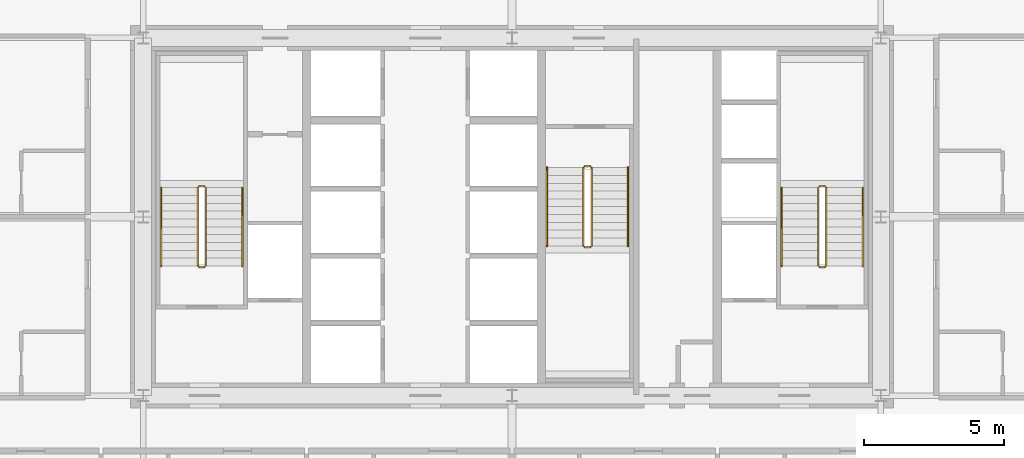
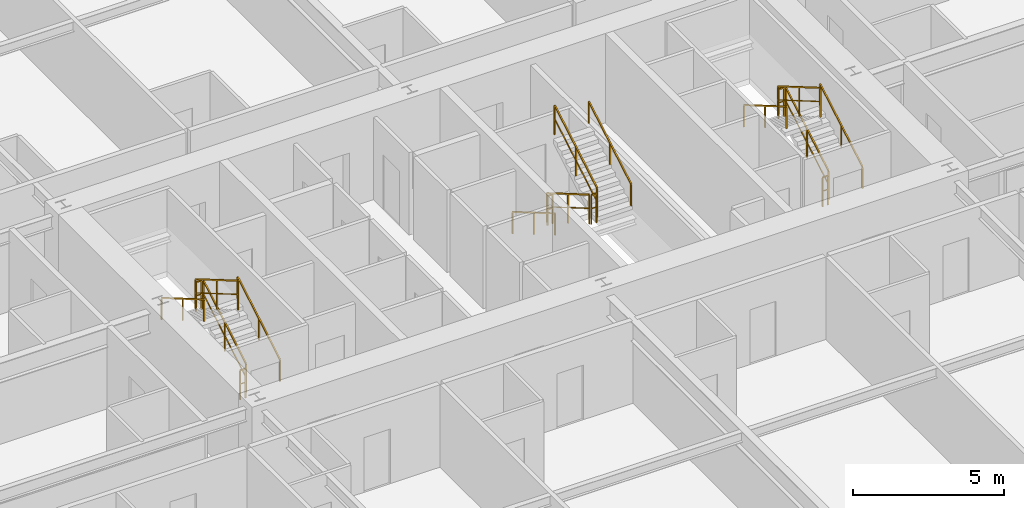
# One storey, part 43 of 43: 18 railings.
"""IFC4 building model written with IfcOpenShell, lengths in metres."""

from ifc_helpers import new_model, si_unit, direction, frame, origin, origin_2d, place, context, subcontext, project, spatial, rectangle, extrude, source, transform, mapped, material, layer, layer_set, type_object, element, save


model = new_model("IFC4")

# Units and contexts
model_context = context("Model", 3, precision=1e-05, world=origin(), true_north=direction((0.0, 1.0)))
body_context = subcontext(model_context, "Body", "Model", "MODEL_VIEW")
ifc_project = project(units=[si_unit("LENGTHUNIT", "METRE"), si_unit("AREAUNIT", "SQUARE_METRE"), si_unit("VOLUMEUNIT", "CUBIC_METRE"), si_unit("PLANEANGLEUNIT", "RADIAN"), si_unit("MASSUNIT", "GRAM", prefix="KILO"), si_unit("THERMODYNAMICTEMPERATUREUNIT", "KELVIN"), si_unit("POWERUNIT", "WATT")], contexts=[model_context])

# Site, building, storey
site_placement = place(None, origin())
site = spatial("IfcSite", under=ifc_project, at=site_placement, CompositionType="ELEMENT")
building_placement = place(site_placement, origin())
building = spatial("IfcBuilding", under=site, at=building_placement, Name="Yuzanri Waterfront Tower", CompositionType="ELEMENT")
storey_placement = place(building_placement, frame((0.0, 0.0, 37.800048828125)))
storey = spatial("IfcBuildingStorey", under=building, at=storey_placement, Name="L09", CompositionType="ELEMENT", Elevation=37.800048828125)

# Railings
ifc_material_1 = material(Name="Painted Galvanized Fire Steel", Category="steel")
ifc_layer_1 = layer(ifc_material_1, 0.06005859375)
ifc_layer_set_1 = layer_set([ifc_layer_1], Name="Painted Galvanized Fire Steel")
railing_type_1 = type_object("IfcRailingType", Name="Painted Steel Stairwell Guardrail 1120", PredefinedType="GUARDRAIL", material=ifc_layer_set_1)
shared_shape_1 = source(origin(), body_context, "Body", "SweptSolid", [
    extrude(rectangle(XDim=0.050048828125, YDim=0.050048828125, at=origin_2d()), frame((0.0, 0.0, 1.1748046875), z_axis=(-1.0, 0.0, 0.0), x_axis=(0.0, -1.0, 0.0)), (0.0, 0.0, 1.0), 0.199951171875),
    extrude(rectangle(XDim=0.035888671875, YDim=0.030029296875, at=origin_2d()), frame((0.0, 0.0, 0.6240234375), z_axis=(-1.0, 0.0, 0.0), x_axis=(0.0, -1.0, 0.0)), (0.0, 0.0, 1.0), 0.199951171875),
    extrude(rectangle(XDim=0.0458984375, YDim=0.0458984375, at=origin_2d()), origin(), (0.0, 0.0, 1.0), 1.14990234375),
    extrude(rectangle(XDim=0.0458984375, YDim=0.0458984375, at=origin_2d()), frame((-0.199951171875, 0.0, 0.0)), (0.0, 0.0, 1.0), 1.14990234375),
])
for number, where, name in (
    (1, (26.0, 26.889892578125, 1.800048828125), "L09 ST-01 stair guard 2"),
    (2, (26.0, 23.989990234375, 0.0), "L09 ST-01 stair guard 4"),
    (3, (48.199951171875, 26.889892578125, 1.800048828125), "L09 ST-02 stair guard 2"),
    (4, (48.199951171875, 23.989990234375, 0.0), "L09 ST-02 stair guard 4"),
):
    element("IfcRailing", number, at=place(storey_placement, frame(where)), inside=storey, type_object=railing_type_1, Name=name, PredefinedType="GUARDRAIL", context=body_context, shape_type="MappedRepresentation", body=[
        mapped(shared_shape_1, transform((0.0, 0.0, 0.0), scale=1.0)),
    ])
shared_shape_2 = source(origin(), body_context, "Body", "SweptSolid", [
    extrude(rectangle(XDim=0.050048828125, YDim=0.050048828125, at=origin_2d()), frame((0.0, 0.0, 1.1748046875), z_axis=(0.0, 0.863393664356, 0.504530851732), x_axis=(-1.0, 0.0, 0.0)), (0.0, 0.0, 1.0), 3.2431640625),
    extrude(rectangle(XDim=0.035888671875, YDim=0.030029296875, at=origin_2d()), frame((0.0, 0.0, 0.6240234375), z_axis=(0.0, 0.863393664356, 0.504530851732), x_axis=(-1.0, 0.0, 0.0)), (0.0, 0.0, 1.0), 3.2431640625),
    extrude(rectangle(XDim=0.0458984375, YDim=0.0458984375, at=origin_2d()), origin(), (0.0, 0.0, 1.0), 1.14990234375),
    extrude(rectangle(XDim=0.0458984375, YDim=0.0458984375, at=origin_2d()), frame((0.0, 1.39990234375, 0.818115234375)), (0.0, 0.0, 1.0), 1.14990234375),
    extrude(rectangle(XDim=0.0458984375, YDim=0.0458984375, at=origin_2d()), frame((0.0, 2.800048828125, 1.63623046875)), (0.0, 0.0, 1.0), 1.14990234375),
])
railing_1_placement = place(storey_placement, frame((39.85009765625, 24.760009765625, 1.963623046875)))
element("IfcRailing", 5, at=railing_1_placement, inside=storey, type_object=railing_type_1, Name="L09 ST-03 stair guard 3", PredefinedType="GUARDRAIL", context=body_context, shape_type="MappedRepresentation", body=[
    mapped(shared_shape_2, transform((0.0, 0.0, 0.0), scale=1.0)),
])
shared_shape_3 = source(origin(), body_context, "Body", "SweptSolid", [
    extrude(rectangle(XDim=0.050048828125, YDim=0.050048828125, at=origin_2d()), frame((0.0, 0.0, 1.1748046875), z_axis=(0.0, -0.863393664356, 0.504530851732), x_axis=(1.0, 0.0, 0.0)), (0.0, 0.0, 1.0), 3.2431640625),
    extrude(rectangle(XDim=0.035888671875, YDim=0.030029296875, at=origin_2d()), frame((0.0, 0.0, 0.6240234375), z_axis=(0.0, -0.863393664356, 0.504530851732), x_axis=(1.0, 0.0, 0.0)), (0.0, 0.0, 1.0), 3.2431640625),
    extrude(rectangle(XDim=0.0458984375, YDim=0.0458984375, at=origin_2d()), origin(), (0.0, 0.0, 1.0), 1.14990234375),
    extrude(rectangle(XDim=0.0458984375, YDim=0.0458984375, at=origin_2d()), frame((0.0, -1.39990234375, 0.818115234375)), (0.0, 0.0, 1.0), 1.14990234375),
    extrude(rectangle(XDim=0.0458984375, YDim=0.0458984375, at=origin_2d()), frame((0.0, -2.800048828125, 1.63623046875)), (0.0, 0.0, 1.0), 1.14990234375),
])
for number, where, name in (
    (6, (25.75, 26.840087890625, 1.963623046875), "L09 ST-01 stair guard 3"),
    (7, (47.949951171875, 26.840087890625, 1.963623046875), "L09 ST-02 stair guard 3"),
):
    element("IfcRailing", number, at=place(storey_placement, frame(where)), inside=storey, type_object=railing_type_1, Name=name, PredefinedType="GUARDRAIL", context=body_context, shape_type="MappedRepresentation", body=[
        mapped(shared_shape_3, transform((0.0, 0.0, 0.0), scale=1.0)),
    ])
ifc_material_2 = material(Name="Anodized Architectural Bronze", Category="metal")
ifc_layer_2 = layer(ifc_material_2, 0.050048828125)
ifc_layer_set_2 = layer_set([ifc_layer_2], Name="Anodized Architectural Bronze")
railing_type_2 = type_object("IfcRailingType", Name="Brushed Bronze Stair Pitch Handrail 920", PredefinedType="HANDRAIL", material=ifc_layer_set_2)
shared_shape_4 = source(origin(), body_context, "Body", "SweptSolid", [
    extrude(rectangle(XDim=0.050048828125, YDim=0.050048828125, at=origin_2d()), frame((0.0, 0.0, 0.875), z_axis=(0.0, 0.863393664356, 0.504530851732), x_axis=(-1.0, 0.0, 0.0)), (0.0, 0.0, 1.0), 3.2431640625),
    extrude(rectangle(XDim=0.0458984375, YDim=0.0458984375, at=origin_2d()), origin(), (0.0, 0.0, 1.0), 0.849853515625),
    extrude(rectangle(XDim=0.0458984375, YDim=0.0458984375, at=origin_2d()), frame((0.0, 1.39990234375, 0.818115234375)), (0.0, 0.0, 1.0), 0.849853515625),
    extrude(rectangle(XDim=0.0458984375, YDim=0.0458984375, at=origin_2d()), frame((0.0, 2.800048828125, 1.63623046875)), (0.0, 0.0, 1.0), 0.849853515625),
])
railing_2_placement = place(storey_placement, frame((41.14990234375, 24.760009765625, 1.963623046875)))
element("IfcRailing", 8, at=railing_2_placement, inside=storey, type_object=railing_type_2, Name="L09 ST-03 stair handrail 2", PredefinedType="HANDRAIL", context=body_context, shape_type="MappedRepresentation", body=[
    mapped(shared_shape_4, transform((0.0, 0.0, 0.0), scale=1.0)),
])
shared_shape_5 = source(origin(), body_context, "Body", "SweptSolid", [
    extrude(rectangle(XDim=0.050048828125, YDim=0.050048828125, at=origin_2d()), frame((0.0, 0.0, 0.875), z_axis=(0.0, -0.863393664356, 0.504530851732), x_axis=(1.0, 0.0, 0.0)), (0.0, 0.0, 1.0), 3.2431640625),
    extrude(rectangle(XDim=0.0458984375, YDim=0.0458984375, at=origin_2d()), origin(), (0.0, 0.0, 1.0), 0.849853515625),
    extrude(rectangle(XDim=0.0458984375, YDim=0.0458984375, at=origin_2d()), frame((0.0, -1.39990234375, 0.818115234375)), (0.0, 0.0, 1.0), 0.849853515625),
    extrude(rectangle(XDim=0.0458984375, YDim=0.0458984375, at=origin_2d()), frame((0.0, -2.800048828125, 1.63623046875)), (0.0, 0.0, 1.0), 0.849853515625),
])
for number, where, name in (
    (9, (24.449951171875, 26.840087890625, 1.963623046875), "L09 ST-01 stair handrail 2"),
    (10, (46.64990234375, 26.840087890625, 1.963623046875), "L09 ST-02 stair handrail 2"),
):
    element("IfcRailing", number, at=place(storey_placement, frame(where)), inside=storey, type_object=railing_type_2, Name=name, PredefinedType="HANDRAIL", context=body_context, shape_type="MappedRepresentation", body=[
        mapped(shared_shape_5, transform((0.0, 0.0, 0.0), scale=1.0)),
    ])
shared_shape_6 = source(origin(), body_context, "Body", "SweptSolid", [
    extrude(rectangle(XDim=0.050048828125, YDim=0.050048828125, at=origin_2d()), frame((0.0, 0.0, 1.1748046875), z_axis=(0.0, 0.863360870873, 0.504586966384), x_axis=(-1.0, 0.0, 0.0)), (0.0, 0.0, 1.0), 3.2431640625),
    extrude(rectangle(XDim=0.035888671875, YDim=0.030029296875, at=origin_2d()), frame((0.0, 0.0, 0.6240234375), z_axis=(0.0, 0.863360870873, 0.504586966384), x_axis=(-1.0, 0.0, 0.0)), (0.0, 0.0, 1.0), 3.2431640625),
    extrude(rectangle(XDim=0.0458984375, YDim=0.0458984375, at=origin_2d()), origin(), (0.0, 0.0, 1.0), 1.14990234375),
    extrude(rectangle(XDim=0.0458984375, YDim=0.0458984375, at=origin_2d()), frame((0.0, 1.39990234375, 0.818359375)), (0.0, 0.0, 1.0), 1.14990234375),
    extrude(rectangle(XDim=0.0458984375, YDim=0.0458984375, at=origin_2d()), frame((0.0, 2.800048828125, 1.636474609375)), (0.0, 0.0, 1.0), 1.14990234375),
])
for number, where, name in (
    (11, (26.050048828125, 24.0400390625, 0.16357421875), "L09 ST-01 stair guard 1"),
    (12, (48.25, 24.0400390625, 0.16357421875), "L09 ST-02 stair guard 1"),
):
    element("IfcRailing", number, at=place(storey_placement, frame(where)), inside=storey, type_object=railing_type_1, Name=name, PredefinedType="GUARDRAIL", context=body_context, shape_type="MappedRepresentation", body=[
        mapped(shared_shape_6, transform((0.0, 0.0, 0.0), scale=1.0)),
    ])
shared_shape_7 = source(origin(), body_context, "Body", "SweptSolid", [
    extrude(rectangle(XDim=0.050048828125, YDim=0.050048828125, at=origin_2d()), frame((0.0, 0.0, 1.1748046875), z_axis=(0.0, -0.863360870873, 0.504586966384), x_axis=(1.0, 0.0, 0.0)), (0.0, 0.0, 1.0), 3.2431640625),
    extrude(rectangle(XDim=0.035888671875, YDim=0.030029296875, at=origin_2d()), frame((0.0, 0.0, 0.6240234375), z_axis=(0.0, -0.863360870873, 0.504586966384), x_axis=(1.0, 0.0, 0.0)), (0.0, 0.0, 1.0), 3.2431640625),
    extrude(rectangle(XDim=0.0458984375, YDim=0.0458984375, at=origin_2d()), origin(), (0.0, 0.0, 1.0), 1.14990234375),
    extrude(rectangle(XDim=0.0458984375, YDim=0.0458984375, at=origin_2d()), frame((0.0, -1.39990234375, 0.818359375)), (0.0, 0.0, 1.0), 1.14990234375),
    extrude(rectangle(XDim=0.0458984375, YDim=0.0458984375, at=origin_2d()), frame((0.0, -2.800048828125, 1.636474609375)), (0.0, 0.0, 1.0), 1.14990234375),
])
railing_3_placement = place(storey_placement, frame((39.550048828125, 27.56005859375, 0.16357421875)))
element("IfcRailing", 13, at=railing_3_placement, inside=storey, type_object=railing_type_1, Name="L09 ST-03 stair guard 1", PredefinedType="GUARDRAIL", context=body_context, shape_type="MappedRepresentation", body=[
    mapped(shared_shape_7, transform((0.0, 0.0, 0.0), scale=1.0)),
])
shared_shape_8 = source(origin(), body_context, "Body", "SweptSolid", [
    extrude(rectangle(XDim=0.050048828125, YDim=0.050048828125, at=origin_2d()), frame((0.0, 0.0, 0.875), z_axis=(0.0, 0.863360870873, 0.504586966384), x_axis=(-1.0, 0.0, 0.0)), (0.0, 0.0, 1.0), 3.2431640625),
    extrude(rectangle(XDim=0.0458984375, YDim=0.0458984375, at=origin_2d()), origin(), (0.0, 0.0, 1.0), 0.849853515625),
    extrude(rectangle(XDim=0.0458984375, YDim=0.0458984375, at=origin_2d()), frame((0.0, 1.39990234375, 0.818359375)), (0.0, 0.0, 1.0), 0.849853515625),
    extrude(rectangle(XDim=0.0458984375, YDim=0.0458984375, at=origin_2d()), frame((0.0, 2.800048828125, 1.636474609375)), (0.0, 0.0, 1.0), 0.849853515625),
])
for number, where, name in (
    (14, (27.35009765625, 24.0400390625, 0.16357421875), "L09 ST-01 stair handrail 1"),
    (15, (49.550048828125, 24.0400390625, 0.16357421875), "L09 ST-02 stair handrail 1"),
):
    element("IfcRailing", number, at=place(storey_placement, frame(where)), inside=storey, type_object=railing_type_2, Name=name, PredefinedType="HANDRAIL", context=body_context, shape_type="MappedRepresentation", body=[
        mapped(shared_shape_8, transform((0.0, 0.0, 0.0), scale=1.0)),
    ])
shared_shape_9 = source(origin(), body_context, "Body", "SweptSolid", [
    extrude(rectangle(XDim=0.050048828125, YDim=0.050048828125, at=origin_2d()), frame((0.0, 0.0, 0.875), z_axis=(0.0, -0.863360870873, 0.504586966384), x_axis=(1.0, 0.0, 0.0)), (0.0, 0.0, 1.0), 3.2431640625),
    extrude(rectangle(XDim=0.0458984375, YDim=0.0458984375, at=origin_2d()), origin(), (0.0, 0.0, 1.0), 0.849853515625),
    extrude(rectangle(XDim=0.0458984375, YDim=0.0458984375, at=origin_2d()), frame((0.0, -1.39990234375, 0.818359375)), (0.0, 0.0, 1.0), 0.849853515625),
    extrude(rectangle(XDim=0.0458984375, YDim=0.0458984375, at=origin_2d()), frame((0.0, -2.800048828125, 1.636474609375)), (0.0, 0.0, 1.0), 0.849853515625),
])
railing_4_placement = place(storey_placement, frame((38.25, 27.56005859375, 0.16357421875)))
element("IfcRailing", 16, at=railing_4_placement, inside=storey, type_object=railing_type_2, Name="L09 ST-03 stair handrail 1", PredefinedType="HANDRAIL", context=body_context, shape_type="MappedRepresentation", body=[
    mapped(shared_shape_9, transform((0.0, 0.0, 0.0), scale=1.0)),
])
shared_shape_10 = source(origin(), body_context, "Body", "SweptSolid", [
    extrude(rectangle(XDim=0.050048828125, YDim=0.050048828125, at=origin_2d()), frame((0.0, 0.0, 1.1748046875), z_axis=(1.0, 0.0, 0.0), x_axis=(0.0, 1.0, 0.0)), (0.0, 0.0, 1.0), 0.199951171875),
    extrude(rectangle(XDim=0.035888671875, YDim=0.030029296875, at=origin_2d()), frame((0.0, 0.0, 0.6240234375), z_axis=(1.0, 0.0, 0.0), x_axis=(0.0, 1.0, 0.0)), (0.0, 0.0, 1.0), 0.199951171875),
    extrude(rectangle(XDim=0.0458984375, YDim=0.0458984375, at=origin_2d()), origin(), (0.0, 0.0, 1.0), 1.14990234375),
    extrude(rectangle(XDim=0.0458984375, YDim=0.0458984375, at=origin_2d()), frame((0.199951171875, 0.0, 0.0)), (0.0, 0.0, 1.0), 1.14990234375),
])
for number, where, name in (
    (17, (39.60009765625, 24.7099609375, 1.800048828125), "L09 ST-03 stair guard 2"),
    (18, (39.60009765625, 27.610107421875, 0.0), "L09 ST-03 stair guard 4"),
):
    element("IfcRailing", number, at=place(storey_placement, frame(where)), inside=storey, type_object=railing_type_1, Name=name, PredefinedType="GUARDRAIL", context=body_context, shape_type="MappedRepresentation", body=[
        mapped(shared_shape_10, transform((0.0, 0.0, 0.0), scale=1.0)),
    ])

save(model, "model.ifc")
